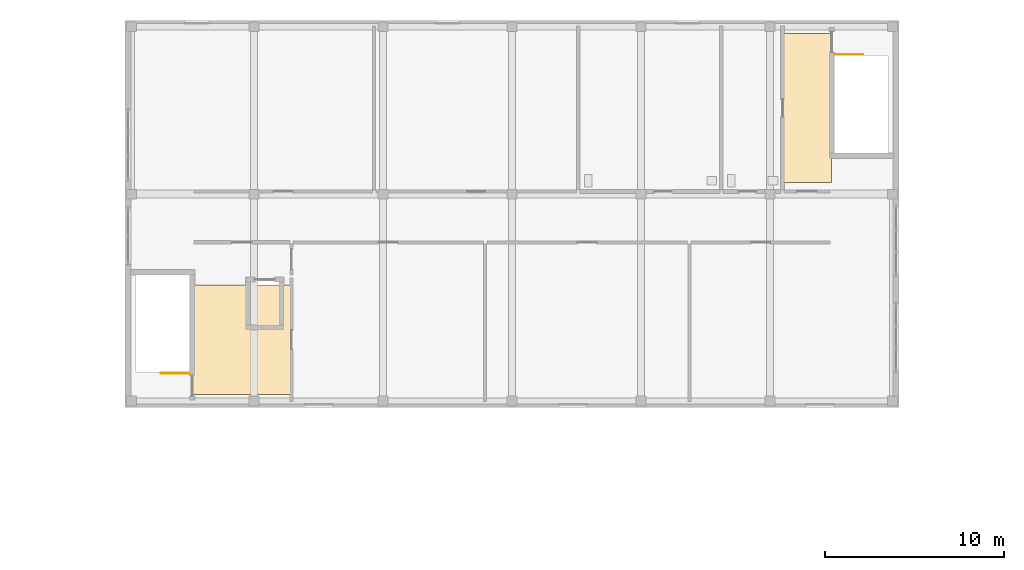
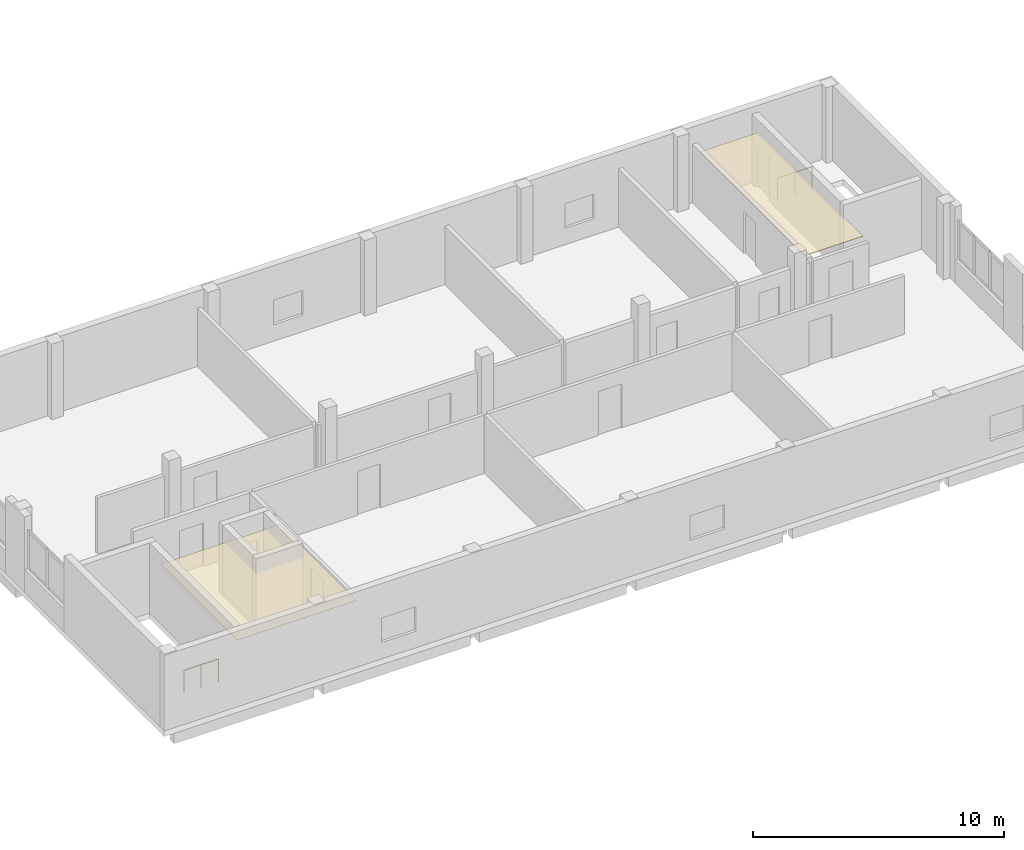
# One storey, part 66 of 73: 2 coverings, 2 railings.
"""IFC4 building model written with IfcOpenShell, lengths in metres."""

from ifc_helpers import new_model, si_unit, derived_unit, direction, frame, origin, origin_2d, place, context, subcontext, project, spatial, polyline, circle, outline, extrude, material, layer, layer_set, type_object, element, save


model = new_model("IFC4")

# Units and contexts
model_context = context("Model", 3, precision=1e-05, world=origin(), true_north=direction((0.0, 1.0)))
body_context = subcontext(model_context, "Body", "Model", "MODEL_VIEW")
ifc_project = project(units=[si_unit("LENGTHUNIT", "METRE"), si_unit("AREAUNIT", "SQUARE_METRE"), si_unit("VOLUMEUNIT", "CUBIC_METRE"), si_unit("PLANEANGLEUNIT", "RADIAN"), si_unit("MASSUNIT", "GRAM", prefix="KILO"), derived_unit("THERMALTRANSMITTANCEUNIT", [(si_unit("MASSUNIT", "GRAM", prefix="KILO"), 1), (si_unit("TIMEUNIT", "SECOND"), -3), (si_unit("THERMODYNAMICTEMPERATUREUNIT", "KELVIN"), -1)])], contexts=[model_context])

# Site, building, storey
site_placement = place(None, origin())
site = spatial("IfcSite", under=ifc_project, at=site_placement, CompositionType="ELEMENT")
building_placement = place(site_placement, origin())
building = spatial("IfcBuilding", under=site, at=building_placement, Name="Ochrekiln Boulevard Commons", CompositionType="ELEMENT")
storey_placement = place(building_placement, frame((0.0, 0.0, 4.89990234375)))
storey = spatial("IfcBuildingStorey", under=building, at=storey_placement, Name="L01", CompositionType="ELEMENT", Elevation=4.89990234375)

# Coverings
ifc_material_1 = material(Name="Mineral-fibre acoustic ceiling tile")
ifc_layer = layer(ifc_material_1, 0.02490234375)
ifc_layer_set = layer_set([ifc_layer], Name="Mineral-fibre acoustic ceiling tile")
covering_type = type_object("IfcCoveringType", Name="COV-CEIL-AC", PredefinedType="CEILING", material=ifc_layer_set)
covering_1_placement = place(storey_placement, frame((0.0, 0.0, 2.650146484375)))
element("IfcCovering", 1, at=covering_1_placement, inside=storey, type_object=covering_type, Name="L01 Acoustic Corridor Ceiling 25", PredefinedType="CEILING", context=body_context, shape_type="SweptSolid", body=[
    extrude(outline(polyline([(68.570068359375, 97.919921875), (74.080078125, 97.919921875), (74.080078125, 104.02001953125), (68.570068359375, 104.02001953125), (68.570068359375, 97.919921875)])), origin(), (0.0, 0.0, 1.0), 0.02490234375),
])
covering_2_placement = place(storey_placement, frame((0.0, 0.0, 2.650146484375)))
element("IfcCovering", 2, at=covering_2_placement, inside=storey, type_object=covering_type, Name="L01 Acoustic Corridor Ceiling 26", PredefinedType="CEILING", context=body_context, shape_type="SweptSolid", body=[
    extrude(outline(polyline([(101.52001953125, 109.75), (104.22998046875, 109.75), (104.22998046875, 118.080078125), (101.52001953125, 118.080078125), (101.52001953125, 109.75)])), origin(), (0.0, 0.0, 1.0), 0.02490234375),
])

# Railings
ifc_material_2 = material(Name="Brushed stainless steel 316 tubular railing", Category="steel")
railing_type = type_object("IfcRailingType", Name="RLG-STR-1120", PredefinedType="BALUSTRADE", material=ifc_material_2)
railing_1_placement = place(storey_placement, frame((68.39990234375, 99.10009765625, 0.0)))
element("IfcRailing", 3, at=railing_1_placement, inside=storey, type_object=railing_type, Name="L01 ST-N1 top well guard 1", PredefinedType="BALUSTRADE", context=body_context, shape_type="SweptSolid", body=[
    extrude(circle(Radius=0.02392578125, at=origin_2d()), frame((0.0, 0.0, 1.09619140625), z_axis=(-1.0, 0.0, 0.0), x_axis=(0.0, -1.0, 0.0)), (0.0, 0.0, 1.0), 1.599853515625),
    extrude(circle(Radius=0.02099609375, at=origin_2d()), origin(), (0.0, 0.0, 1.0), 1.072021484375),
    extrude(circle(Radius=0.02099609375, at=origin_2d()), frame((-0.7998046875, 0.0, 0.0)), (0.0, 0.0, 1.0), 1.072021484375),
    extrude(circle(Radius=0.02099609375, at=origin_2d()), frame((-1.599853515625, 0.0, 0.0)), (0.0, 0.0, 1.0), 1.072021484375),
])
railing_2_placement = place(storey_placement, frame((104.39990234375, 116.89990234375, 0.0)))
element("IfcRailing", 4, at=railing_2_placement, inside=storey, type_object=railing_type, Name="L01 ST-N2 top well guard 1", PredefinedType="BALUSTRADE", context=body_context, shape_type="SweptSolid", body=[
    extrude(circle(Radius=0.02392578125, at=origin_2d()), frame((0.0, 0.0, 1.09619140625), z_axis=(1.0, 0.0, 0.0), x_axis=(0.0, 1.0, 0.0)), (0.0, 0.0, 1.0), 1.60009765625),
    extrude(circle(Radius=0.02099609375, at=origin_2d()), origin(), (0.0, 0.0, 1.0), 1.072021484375),
    extrude(circle(Radius=0.02099609375, at=origin_2d()), frame((0.800048828125, 0.0, 0.0)), (0.0, 0.0, 1.0), 1.072021484375),
    extrude(circle(Radius=0.02099609375, at=origin_2d()), frame((1.60009765625, 0.0, 0.0)), (0.0, 0.0, 1.0), 1.072021484375),
])

save(model, "model.ifc")
